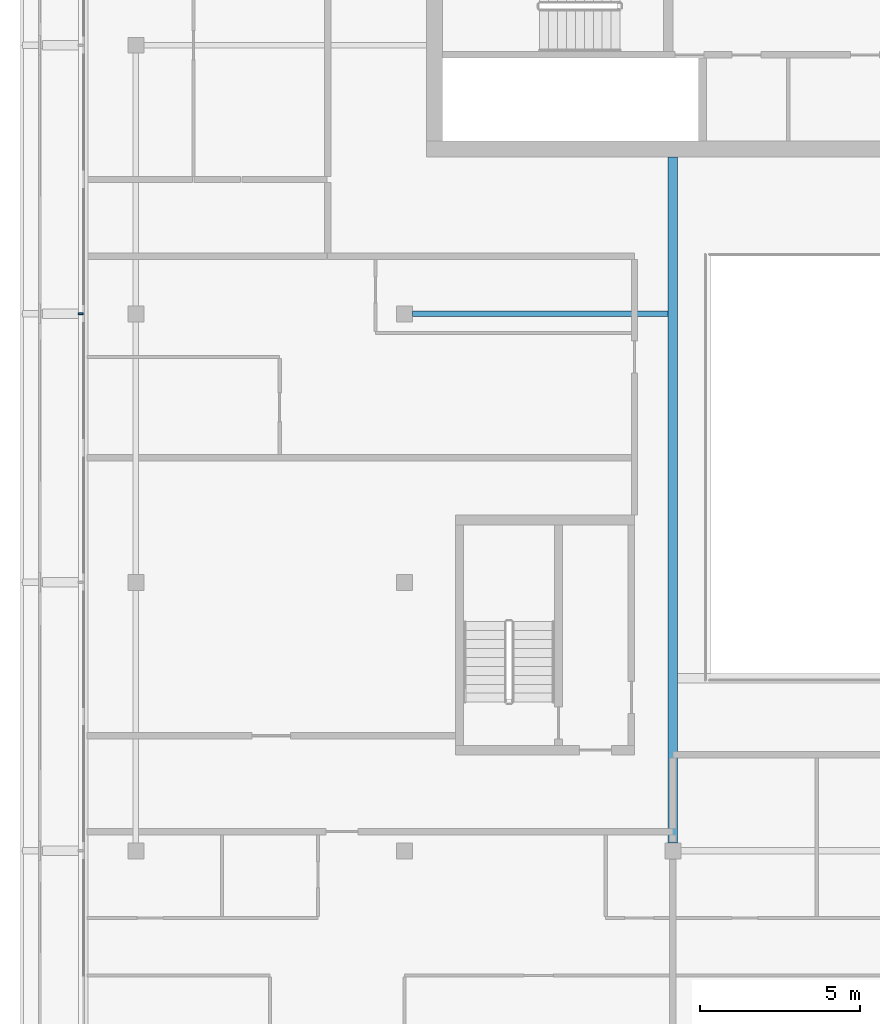
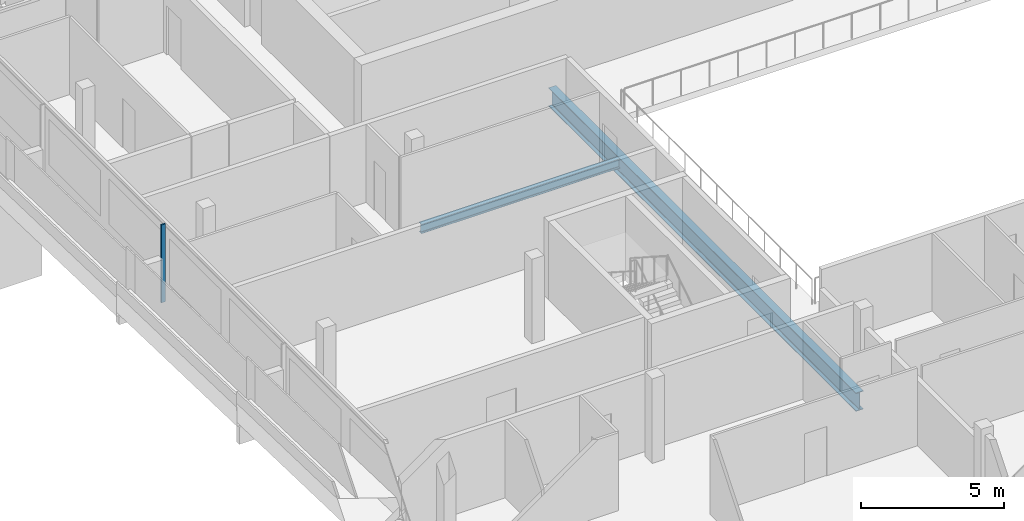
# One storey, part 4 of 27: 2 beams, 1 member, 1 element without a shape of its own.
"""IFC4 building model written with IfcOpenShell, lengths in metres."""

from ifc_helpers import new_model, si_unit, direction, frame, origin, origin_2d, place, context, subcontext, project, spatial, rectangle, i_section, extrude, material, material_profile, profile_set, type_object, element, aggregate, save


model = new_model("IFC4")

# Units and contexts
model_context = context("Model", 3, precision=1e-05, world=origin(), true_north=direction((0.0, 1.0)))
body_context = subcontext(model_context, "Body", "Model", "MODEL_VIEW")
ifc_project = project(units=[si_unit("LENGTHUNIT", "METRE"), si_unit("AREAUNIT", "SQUARE_METRE"), si_unit("VOLUMEUNIT", "CUBIC_METRE"), si_unit("PLANEANGLEUNIT", "RADIAN"), si_unit("MASSUNIT", "GRAM", prefix="KILO")], contexts=[model_context])

# Site, building, storey
site_placement = place(None, origin())
site = spatial("IfcSite", under=ifc_project, at=site_placement, CompositionType="ELEMENT")
building_placement = place(site_placement, origin())
building = spatial("IfcBuilding", under=site, at=building_placement, Name="Saffron Gate Tower", CompositionType="ELEMENT")
storey_placement = place(building_placement, frame((0.0, 0.0, 274.35009765625)))
storey = spatial("IfcBuildingStorey", under=building, at=storey_placement, Name="L66", CompositionType="ELEMENT", Elevation=274.35009765625)

# Beams
ifc_material_1 = material(Name="Structural steel S355", Category="steel")
ifc_material_profile_1 = material_profile(ifc_material_1, i_section(OverallWidth=0.300048828125, OverallDepth=0.7900390625, WebThickness=0.014892578125, FlangeThickness=0.028076171875, FilletRadius=0.030029296875, at=origin_2d()))
ifc_profile_set_1 = profile_set([ifc_material_profile_1], Name="Structural steel S355")
beam_type_1 = type_object("IfcBeamType", Name="B18 HEA 800", PredefinedType="BEAM", material=ifc_profile_set_1)
beam_1_placement = place(storey_placement, frame((75.0, 40.449951171875, -0.675048828125), z_axis=(0.0, 1.0, 0.0), x_axis=(-1.0, 0.0, 0.0)))
element("IfcBeam", 1, at=beam_1_placement, inside=storey, type_object=beam_type_1, Name="B18 ATRIUM GIRDER", PredefinedType="BEAM", context=body_context, shape_type="SweptSolid", body=[
    extrude(i_section(OverallWidth=0.300048828125, OverallDepth=0.7900390625, WebThickness=0.014892578125, FlangeThickness=0.028076171875, FilletRadius=0.030029296875, at=origin_2d()), origin(), (0.0, 0.0, 1.0), 21.449951171875),
])
ifc_material_profile_2 = material_profile(ifc_material_1, i_section(OverallWidth=0.179931640625, OverallDepth=0.39990234375, WebThickness=0.008544921875, FlangeThickness=0.013427734375, FilletRadius=0.02099609375, at=origin_2d()))
ifc_profile_set_2 = profile_set([ifc_material_profile_2], Name="Structural steel S355")
beam_type_2 = type_object("IfcBeamType", Name="B4 IPE 400", PredefinedType="BEAM", material=ifc_profile_set_2)
beam_2_placement = place(storey_placement, frame((66.85009765625, 57.0, -0.47998046875), z_axis=(1.0, 0.0, 0.0), x_axis=(0.0, 1.0, 0.0)))
element("IfcBeam", 2, at=beam_2_placement, inside=storey, type_object=beam_type_2, Name="B4 CORE TIE BEAM", PredefinedType="BEAM", context=body_context, shape_type="SweptSolid", body=[
    extrude(i_section(OverallWidth=0.179931640625, OverallDepth=0.39990234375, WebThickness=0.008544921875, FlangeThickness=0.013427734375, FilletRadius=0.02099609375, at=origin_2d()), origin(), (0.0, 0.0, 1.0), 8.0),
])

# Curtain wall, member
ifc_material_2 = material(Name="Aluminium, bronze anodised", Category="aluminium")
curtain_wall_type = type_object("IfcCurtainWallType", Name="CWS2 curtain wall side facades", PredefinedType="NOTDEFINED", material=ifc_material_2)
curtain_wall_placement = place(storey_placement, origin())
curtain_wall = element("IfcCurtainWall", 3, at=curtain_wall_placement, inside=storey, type_object=curtain_wall_type, Name="CWS2 run 10", PredefinedType="NOTDEFINED")
ifc_material_profile_3 = material_profile(ifc_material_2, rectangle(XDim=0.159912109375, YDim=0.06005859375, at=origin_2d()))
ifc_profile_set_3 = profile_set([ifc_material_profile_3], Name="Aluminium, bronze anodised")
member_type = type_object("IfcMemberType", Name="CWS2 mullion 60x160", PredefinedType="MULLION", material=ifc_profile_set_3)
member_placement = place(storey_placement, frame((56.47998046875, 57.0, 0.0), z_axis=(0.0, 0.0, 1.0), x_axis=(1.0, 0.0, 0.0)))
member = element("IfcMember", 4, at=member_placement, type_object=member_type, Name="CWS2 mullion 3", PredefinedType="MULLION", context=body_context, shape_type="SweptSolid", body=[
    extrude(rectangle(XDim=0.159912109375, YDim=0.06005859375, at=origin_2d()), origin(), (0.0, 0.0, 1.0), 3.31982421875),
])
aggregate(curtain_wall, [member])

save(model, "model.ifc")
